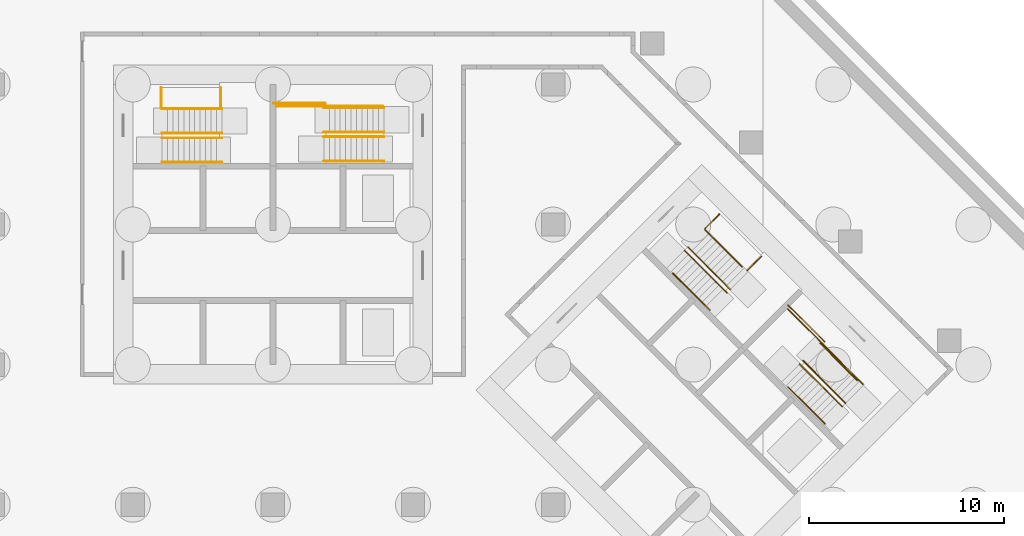
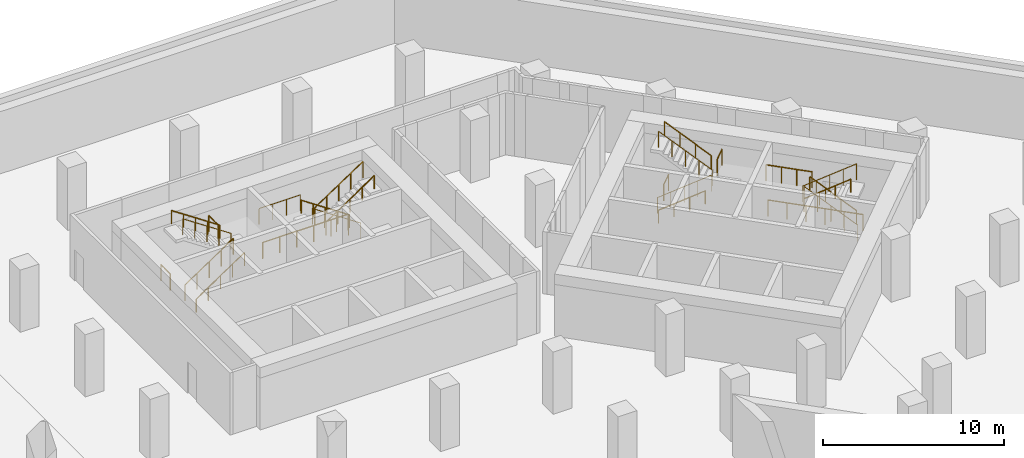
# One storey, part 11 of 12: 24 railings.
"""IFC4 building model written with IfcOpenShell, lengths in metres."""

from ifc_helpers import new_model, si_unit, direction, frame, origin, origin_2d, place, context, subcontext, project, spatial, circle, extrude, material, type_object, element, save


model = new_model("IFC4")

# Units and contexts
model_context = context("Model", 3, precision=1e-05, world=origin(), true_north=direction((0.0, 1.0)))
body_context = subcontext(model_context, "Body", "Model", "MODEL_VIEW")
ifc_project = project(units=[si_unit("LENGTHUNIT", "METRE"), si_unit("AREAUNIT", "SQUARE_METRE"), si_unit("VOLUMEUNIT", "CUBIC_METRE"), si_unit("PLANEANGLEUNIT", "RADIAN"), si_unit("MASSUNIT", "GRAM", prefix="KILO")], contexts=[model_context])

# Site, building, storey
site_placement = place(None, origin())
site = spatial("IfcSite", under=ifc_project, at=site_placement, CompositionType="ELEMENT")
building_placement = place(site_placement, origin())
building = spatial("IfcBuilding", under=site, at=building_placement, Name="Windrow Commons", CompositionType="ELEMENT")
storey_placement = place(building_placement, frame((0.0, 0.0, -9.0)))
storey = spatial("IfcBuildingStorey", under=building, at=storey_placement, Name="B2", CompositionType="ELEMENT", Elevation=-9.0)

# Railings
ifc_material_1 = material(Name="Steel S355", Category="steel")
railing_type_1 = type_object("IfcRailingType", Name="Core stair guard 1100", PredefinedType="GUARDRAIL", material=ifc_material_1)
railing_1_placement = place(storey_placement, frame((59.1, 62.05, 0.1875)))
element("IfcRailing", 1, at=railing_1_placement, inside=storey, type_object=railing_type_1, Name="B2 ST-A1 stair guard 1", PredefinedType="GUARDRAIL", context=body_context, shape_type="SweptSolid", body=[
    extrude(circle(Radius=0.024, at=origin_2d()), frame((0.0, 0.0, 1.076), z_axis=(0.830907177, 0.0, 0.556411056), x_axis=(0.0, 1.0, 0.0)), (0.0, 0.0, 1.0), 3.7068),
    extrude(circle(Radius=0.021, at=origin_2d()), origin(), (0.0, 0.0, 1.0), 1.052),
    extrude(circle(Radius=0.021, at=origin_2d()), frame((0.77, 0.0, 0.5156)), (0.0, 0.0, 1.0), 1.052),
    extrude(circle(Radius=0.021, at=origin_2d()), frame((1.54, 0.0, 1.0312)), (0.0, 0.0, 1.0), 1.052),
    extrude(circle(Radius=0.021, at=origin_2d()), frame((2.31, 0.0, 1.5469)), (0.0, 0.0, 1.0), 1.052),
    extrude(circle(Radius=0.021, at=origin_2d()), frame((3.08, 0.0, 2.0625)), (0.0, 0.0, 1.0), 1.052),
])
railing_2_placement = place(storey_placement, frame((62.18, 62.3, 2.4375)))
element("IfcRailing", 2, at=railing_2_placement, inside=storey, type_object=railing_type_1, Name="B2 ST-A1 stair guard 2", PredefinedType="GUARDRAIL", context=body_context, shape_type="SweptSolid", body=[
    extrude(circle(Radius=0.024, at=origin_2d()), frame((0.0, 0.0, 1.076), z_axis=(-0.830907177, 0.0, 0.556411056), x_axis=(0.0, -1.0, 0.0)), (0.0, 0.0, 1.0), 3.7068),
    extrude(circle(Radius=0.021, at=origin_2d()), origin(), (0.0, 0.0, 1.0), 1.052),
    extrude(circle(Radius=0.021, at=origin_2d()), frame((-0.77, 0.0, 0.5156)), (0.0, 0.0, 1.0), 1.052),
    extrude(circle(Radius=0.021, at=origin_2d()), frame((-1.54, 0.0, 1.0312)), (0.0, 0.0, 1.0), 1.052),
    extrude(circle(Radius=0.021, at=origin_2d()), frame((-2.31, 0.0, 1.5469)), (0.0, 0.0, 1.0), 1.052),
    extrude(circle(Radius=0.021, at=origin_2d()), frame((-3.08, 0.0, 2.0625)), (0.0, 0.0, 1.0), 1.052),
])
for number, where, name in (
    (3, (59.05, 63.6, 0.0), "B2 ST-A1 stair guard 3"),
    (4, (62.11, 63.6, 2.25), "B2 ST-A1 stair guard 4"),
):
    element("IfcRailing", number, at=place(storey_placement, frame(where)), inside=storey, type_object=railing_type_1, Name=name, PredefinedType="GUARDRAIL", context=body_context, shape_type="SweptSolid", body=[
        extrude(circle(Radius=0.024, at=origin_2d()), frame((0.0, 0.0, 1.076), z_axis=(0.0, 1.0, 0.0), x_axis=(-1.0, 0.0, 0.0)), (0.0, 0.0, 1.0), 1.03),
        extrude(circle(Radius=0.021, at=origin_2d()), origin(), (0.0, 0.0, 1.0), 1.052),
        extrude(circle(Radius=0.021, at=origin_2d()), frame((0.0, 1.03, 0.0)), (0.0, 0.0, 1.0), 1.052),
    ])
railing_3_placement = place(storey_placement, frame((70.5, 62.355, 0.1875)))
element("IfcRailing", 5, at=railing_3_placement, inside=storey, type_object=railing_type_1, Name="B2 ST-A2 stair guard 1", PredefinedType="GUARDRAIL", context=body_context, shape_type="SweptSolid", body=[
    extrude(circle(Radius=0.024, at=origin_2d()), frame((0.0, 0.0, 1.076), z_axis=(-0.830907177, 0.0, 0.556411056), x_axis=(0.0, -1.0, 0.0)), (0.0, 0.0, 1.0), 3.7068),
    extrude(circle(Radius=0.021, at=origin_2d()), origin(), (0.0, 0.0, 1.0), 1.052),
    extrude(circle(Radius=0.021, at=origin_2d()), frame((-0.77, 0.0, 0.5156)), (0.0, 0.0, 1.0), 1.052),
    extrude(circle(Radius=0.021, at=origin_2d()), frame((-1.54, 0.0, 1.0312)), (0.0, 0.0, 1.0), 1.052),
    extrude(circle(Radius=0.021, at=origin_2d()), frame((-2.31, 0.0, 1.5469)), (0.0, 0.0, 1.0), 1.052),
    extrude(circle(Radius=0.021, at=origin_2d()), frame((-3.08, 0.0, 2.0625)), (0.0, 0.0, 1.0), 1.052),
])
railing_4_placement = place(storey_placement, frame((67.42, 62.105, 2.4375)))
element("IfcRailing", 6, at=railing_4_placement, inside=storey, type_object=railing_type_1, Name="B2 ST-A2 stair guard 2", PredefinedType="GUARDRAIL", context=body_context, shape_type="SweptSolid", body=[
    extrude(circle(Radius=0.024, at=origin_2d()), frame((0.0, 0.0, 1.076), z_axis=(0.830907177, 0.0, 0.556411056), x_axis=(0.0, 1.0, 0.0)), (0.0, 0.0, 1.0), 3.7068),
    extrude(circle(Radius=0.021, at=origin_2d()), origin(), (0.0, 0.0, 1.0), 1.052),
    extrude(circle(Radius=0.021, at=origin_2d()), frame((0.77, 0.0, 0.5156)), (0.0, 0.0, 1.0), 1.052),
    extrude(circle(Radius=0.021, at=origin_2d()), frame((1.54, 0.0, 1.0312)), (0.0, 0.0, 1.0), 1.052),
    extrude(circle(Radius=0.021, at=origin_2d()), frame((2.31, 0.0, 1.5469)), (0.0, 0.0, 1.0), 1.052),
    extrude(circle(Radius=0.021, at=origin_2d()), frame((3.08, 0.0, 2.0625)), (0.0, 0.0, 1.0), 1.052),
])
railing_5_placement = place(storey_placement, frame((70.45, 63.675, 0.0)))
element("IfcRailing", 7, at=railing_5_placement, inside=storey, type_object=railing_type_1, Name="B2 ST-A2 stair guard 3", PredefinedType="GUARDRAIL", context=body_context, shape_type="SweptSolid", body=[
    extrude(circle(Radius=0.024, at=origin_2d()), frame((0.0, 0.0, 1.076), z_axis=(-1.0, 0.0, 0.0), x_axis=(0.0, -1.0, 0.0)), (0.0, 0.0, 1.0), 5.45),
    extrude(circle(Radius=0.021, at=origin_2d()), origin(), (0.0, 0.0, 1.0), 1.052),
    extrude(circle(Radius=0.021, at=origin_2d()), frame((-1.09, 0.0, 0.0)), (0.0, 0.0, 1.0), 1.052),
    extrude(circle(Radius=0.021, at=origin_2d()), frame((-2.18, 0.0, 0.0)), (0.0, 0.0, 1.0), 1.052),
    extrude(circle(Radius=0.021, at=origin_2d()), frame((-3.27, 0.0, 0.0)), (0.0, 0.0, 1.0), 1.052),
    extrude(circle(Radius=0.021, at=origin_2d()), frame((-4.36, 0.0, 0.0)), (0.0, 0.0, 1.0), 1.052),
    extrude(circle(Radius=0.021, at=origin_2d()), frame((-5.45, 0.0, 0.0)), (0.0, 0.0, 1.0), 1.052),
])
railing_6_placement = place(storey_placement, frame((67.49, 63.825, 2.25)))
element("IfcRailing", 8, at=railing_6_placement, inside=storey, type_object=railing_type_1, Name="B2 ST-A2 stair guard 4", PredefinedType="GUARDRAIL", context=body_context, shape_type="SweptSolid", body=[
    extrude(circle(Radius=0.024, at=origin_2d()), frame((0.0, 0.0, 1.076), z_axis=(-1.0, 0.0, 0.0), x_axis=(0.0, -1.0, 0.0)), (0.0, 0.0, 1.0), 2.64),
    extrude(circle(Radius=0.021, at=origin_2d()), origin(), (0.0, 0.0, 1.0), 1.052),
    extrude(circle(Radius=0.021, at=origin_2d()), frame((-0.88, 0.0, 0.0)), (0.0, 0.0, 1.0), 1.052),
    extrude(circle(Radius=0.021, at=origin_2d()), frame((-1.76, 0.0, 0.0)), (0.0, 0.0, 1.0), 1.052),
    extrude(circle(Radius=0.021, at=origin_2d()), frame((-2.64, 0.0, 0.0)), (0.0, 0.0, 1.0), 1.052),
])
railing_7_placement = place(storey_placement, frame((85.9529, 56.2669, 0.1875)))
element("IfcRailing", 9, at=railing_7_placement, inside=storey, type_object=railing_type_1, Name="B2 ST-B1 stair guard 1", PredefinedType="GUARDRAIL", context=body_context, shape_type="SweptSolid", body=[
    extrude(circle(Radius=0.024, at=origin_2d()), frame((0.0, 0.0, 1.076), z_axis=(0.5875410276, -0.5875410276, 0.5564090957), x_axis=(0.7071067812, 0.7071067812, 0.0)), (0.0, 0.0, 1.0), 3.7068),
    extrude(circle(Radius=0.021, at=origin_2d()), origin(), (0.0, 0.0, 1.0), 1.052),
    extrude(circle(Radius=0.021, at=origin_2d()), frame((0.5445, -0.5445, 0.5156)), (0.0, 0.0, 1.0), 1.052),
    extrude(circle(Radius=0.021, at=origin_2d()), frame((1.0889, -1.089, 1.0312)), (0.0, 0.0, 1.0), 1.052),
    extrude(circle(Radius=0.021, at=origin_2d()), frame((1.6334, -1.6334, 1.5469)), (0.0, 0.0, 1.0), 1.052),
    extrude(circle(Radius=0.021, at=origin_2d()), frame((2.1779, -2.1779, 2.0625)), (0.0, 0.0, 1.0), 1.052),
])
railing_8_placement = place(storey_placement, frame((88.3075, 54.2658, 2.4375)))
element("IfcRailing", 10, at=railing_8_placement, inside=storey, type_object=railing_type_1, Name="B2 ST-B1 stair guard 2", PredefinedType="GUARDRAIL", context=body_context, shape_type="SweptSolid", body=[
    extrude(circle(Radius=0.024, at=origin_2d()), frame((0.0, 0.0, 1.076), z_axis=(-0.5875410276, 0.5875410276, 0.5564090957), x_axis=(-0.7071067812, -0.7071067812, 0.0)), (0.0, 0.0, 1.0), 3.7068),
    extrude(circle(Radius=0.021, at=origin_2d()), origin(), (0.0, 0.0, 1.0), 1.052),
    extrude(circle(Radius=0.021, at=origin_2d()), frame((-0.5445, 0.5445, 0.5156)), (0.0, 0.0, 1.0), 1.052),
    extrude(circle(Radius=0.021, at=origin_2d()), frame((-1.089, 1.089, 1.0312)), (0.0, 0.0, 1.0), 1.052),
    extrude(circle(Radius=0.021, at=origin_2d()), frame((-1.6334, 1.6334, 1.5469)), (0.0, 0.0, 1.0), 1.052),
    extrude(circle(Radius=0.021, at=origin_2d()), frame((-2.1779, 2.1779, 2.0625)), (0.0, 0.0, 1.0), 1.052),
])
railing_9_placement = place(storey_placement, frame((87.0135, 57.3982, 0.0)))
element("IfcRailing", 11, at=railing_9_placement, inside=storey, type_object=railing_type_1, Name="B2 ST-B1 stair guard 3", PredefinedType="GUARDRAIL", context=body_context, shape_type="SweptSolid", body=[
    extrude(circle(Radius=0.024, at=origin_2d()), frame((0.0, 0.0, 1.076), z_axis=(0.7070582378, 0.7071553212, 0.0), x_axis=(-0.7071553212, 0.7070582378, 0.0)), (0.0, 0.0, 1.0), 1.03),
    extrude(circle(Radius=0.021, at=origin_2d()), origin(), (0.0, 0.0, 1.0), 1.052),
    extrude(circle(Radius=0.021, at=origin_2d()), frame((0.7283, 0.7284, 0.0)), (0.0, 0.0, 1.0), 1.052),
])
railing_10_placement = place(storey_placement, frame((89.1773, 55.2345, 2.25)))
element("IfcRailing", 12, at=railing_10_placement, inside=storey, type_object=railing_type_1, Name="B2 ST-B1 stair guard 4", PredefinedType="GUARDRAIL", context=body_context, shape_type="SweptSolid", body=[
    extrude(circle(Radius=0.024, at=origin_2d()), frame((0.0, 0.0, 1.076), z_axis=(0.7071067812, 0.7071067812, 0.0), x_axis=(-0.7071067812, 0.7071067812, 0.0)), (0.0, 0.0, 1.0), 1.03),
    extrude(circle(Radius=0.021, at=origin_2d()), origin(), (0.0, 0.0, 1.0), 1.052),
    extrude(circle(Radius=0.021, at=origin_2d()), frame((0.7283, 0.7283, 0.0)), (0.0, 0.0, 1.0), 1.052),
])
railing_11_placement = place(storey_placement, frame((94.2296, 48.4215, 0.1875)))
element("IfcRailing", 13, at=railing_11_placement, inside=storey, type_object=railing_type_1, Name="B2 ST-B2 stair guard 1", PredefinedType="GUARDRAIL", context=body_context, shape_type="SweptSolid", body=[
    extrude(circle(Radius=0.024, at=origin_2d()), frame((0.0, 0.0, 1.076), z_axis=(-0.5875410276, 0.5875410276, 0.5564090957), x_axis=(-0.7071067812, -0.7071067812, 0.0)), (0.0, 0.0, 1.0), 3.7068),
    extrude(circle(Radius=0.021, at=origin_2d()), origin(), (0.0, 0.0, 1.0), 1.052),
    extrude(circle(Radius=0.021, at=origin_2d()), frame((-0.5445, 0.5445, 0.5156)), (0.0, 0.0, 1.0), 1.052),
    extrude(circle(Radius=0.021, at=origin_2d()), frame((-1.089, 1.089, 1.0312)), (0.0, 0.0, 1.0), 1.052),
    extrude(circle(Radius=0.021, at=origin_2d()), frame((-1.6334, 1.6334, 1.5469)), (0.0, 0.0, 1.0), 1.052),
    extrude(circle(Radius=0.021, at=origin_2d()), frame((-2.1779, 2.1779, 2.0625)), (0.0, 0.0, 1.0), 1.052),
])
railing_12_placement = place(storey_placement, frame((91.8749, 50.4226, 2.4375)))
element("IfcRailing", 14, at=railing_12_placement, inside=storey, type_object=railing_type_1, Name="B2 ST-B2 stair guard 2", PredefinedType="GUARDRAIL", context=body_context, shape_type="SweptSolid", body=[
    extrude(circle(Radius=0.024, at=origin_2d()), frame((0.0, 0.0, 1.076), z_axis=(0.5875410276, -0.5875410276, 0.5564090957), x_axis=(0.7071067812, 0.7071067812, 0.0)), (0.0, 0.0, 1.0), 3.7068),
    extrude(circle(Radius=0.021, at=origin_2d()), origin(), (0.0, 0.0, 1.0), 1.052),
    extrude(circle(Radius=0.021, at=origin_2d()), frame((0.5445, -0.5445, 0.5156)), (0.0, 0.0, 1.0), 1.052),
    extrude(circle(Radius=0.021, at=origin_2d()), frame((1.089, -1.089, 1.0312)), (0.0, 0.0, 1.0), 1.052),
    extrude(circle(Radius=0.021, at=origin_2d()), frame((1.6334, -1.6334, 1.5469)), (0.0, 0.0, 1.0), 1.052),
    extrude(circle(Radius=0.021, at=origin_2d()), frame((2.1779, -2.1779, 2.0625)), (0.0, 0.0, 1.0), 1.052),
])
railing_13_placement = place(storey_placement, frame((95.1276, 49.3903, 0.0)))
element("IfcRailing", 15, at=railing_13_placement, inside=storey, type_object=railing_type_1, Name="B2 ST-B2 stair guard 3", PredefinedType="GUARDRAIL", context=body_context, shape_type="SweptSolid", body=[
    extrude(circle(Radius=0.024, at=origin_2d()), frame((0.0, 0.0, 1.076), z_axis=(-0.7071159554, 0.7070976069, 0.0), x_axis=(-0.7070976069, -0.7071159554, 0.0)), (0.0, 0.0, 1.0), 5.45),
    extrude(circle(Radius=0.021, at=origin_2d()), origin(), (0.0, 0.0, 1.0), 1.052),
    extrude(circle(Radius=0.021, at=origin_2d()), frame((-0.7708, 0.7707, 0.0)), (0.0, 0.0, 1.0), 1.052),
    extrude(circle(Radius=0.021, at=origin_2d()), frame((-1.5415, 1.5415, 0.0)), (0.0, 0.0, 1.0), 1.052),
    extrude(circle(Radius=0.021, at=origin_2d()), frame((-2.3123, 2.3122, 0.0)), (0.0, 0.0, 1.0), 1.052),
    extrude(circle(Radius=0.021, at=origin_2d()), frame((-3.083, 3.083, 0.0)), (0.0, 0.0, 1.0), 1.052),
    extrude(circle(Radius=0.021, at=origin_2d()), frame((-3.8538, 3.8537, 0.0)), (0.0, 0.0, 1.0), 1.052),
])
railing_14_placement = place(storey_placement, frame((93.1406, 51.5894, 2.25)))
element("IfcRailing", 16, at=railing_14_placement, inside=storey, type_object=railing_type_1, Name="B2 ST-B2 stair guard 4", PredefinedType="GUARDRAIL", context=body_context, shape_type="SweptSolid", body=[
    extrude(circle(Radius=0.024, at=origin_2d()), frame((0.0, 0.0, 1.076), z_axis=(-0.7071257204, 0.7070878414, 0.0), x_axis=(-0.7070878414, -0.7071257204, 0.0)), (0.0, 0.0, 1.0), 2.64),
    extrude(circle(Radius=0.021, at=origin_2d()), origin(), (0.0, 0.0, 1.0), 1.052),
    extrude(circle(Radius=0.021, at=origin_2d()), frame((-0.6223, 0.6222, 0.0)), (0.0, 0.0, 1.0), 1.052),
    extrude(circle(Radius=0.021, at=origin_2d()), frame((-1.2445, 1.2445, 0.0)), (0.0, 0.0, 1.0), 1.052),
    extrude(circle(Radius=0.021, at=origin_2d()), frame((-1.8668, 1.8667, 0.0)), (0.0, 0.0, 1.0), 1.052),
])
ifc_material_2 = material(Name="Steel S355", Category="steel")
railing_type_2 = type_object("IfcRailingType", Name="Core stair handrail 900", PredefinedType="HANDRAIL", material=ifc_material_2)
railing_15_placement = place(storey_placement, frame((59.1, 60.8, 0.1875)))
element("IfcRailing", 17, at=railing_15_placement, inside=storey, type_object=railing_type_2, Name="B2 ST-A1 stair handrail 1", PredefinedType="HANDRAIL", context=body_context, shape_type="SweptSolid", body=[
    extrude(circle(Radius=0.024, at=origin_2d()), frame((0.0, 0.0, 0.876), z_axis=(0.830907177, 0.0, 0.556411056), x_axis=(0.0, 1.0, 0.0)), (0.0, 0.0, 1.0), 3.7068),
    extrude(circle(Radius=0.021, at=origin_2d()), origin(), (0.0, 0.0, 1.0), 0.852),
    extrude(circle(Radius=0.021, at=origin_2d()), frame((0.77, 0.0, 0.5156)), (0.0, 0.0, 1.0), 0.852),
    extrude(circle(Radius=0.021, at=origin_2d()), frame((1.54, 0.0, 1.0312)), (0.0, 0.0, 1.0), 0.852),
    extrude(circle(Radius=0.021, at=origin_2d()), frame((2.31, 0.0, 1.5469)), (0.0, 0.0, 1.0), 0.852),
    extrude(circle(Radius=0.021, at=origin_2d()), frame((3.08, 0.0, 2.0625)), (0.0, 0.0, 1.0), 0.852),
])
for number, where, name in (
    (18, (62.18, 63.55, 2.4375), "B2 ST-A1 stair handrail 2"),
    (19, (70.5, 63.605, 0.1875), "B2 ST-A2 stair handrail 1"),
):
    element("IfcRailing", number, at=place(storey_placement, frame(where)), inside=storey, type_object=railing_type_2, Name=name, PredefinedType="HANDRAIL", context=body_context, shape_type="SweptSolid", body=[
        extrude(circle(Radius=0.024, at=origin_2d()), frame((0.0, 0.0, 0.876), z_axis=(-0.830907177, 0.0, 0.556411056), x_axis=(0.0, -1.0, 0.0)), (0.0, 0.0, 1.0), 3.7068),
        extrude(circle(Radius=0.021, at=origin_2d()), origin(), (0.0, 0.0, 1.0), 0.852),
        extrude(circle(Radius=0.021, at=origin_2d()), frame((-0.77, 0.0, 0.5156)), (0.0, 0.0, 1.0), 0.852),
        extrude(circle(Radius=0.021, at=origin_2d()), frame((-1.54, 0.0, 1.0312)), (0.0, 0.0, 1.0), 0.852),
        extrude(circle(Radius=0.021, at=origin_2d()), frame((-2.31, 0.0, 1.5469)), (0.0, 0.0, 1.0), 0.852),
        extrude(circle(Radius=0.021, at=origin_2d()), frame((-3.08, 0.0, 2.0625)), (0.0, 0.0, 1.0), 0.852),
    ])
railing_16_placement = place(storey_placement, frame((67.42, 60.855, 2.4375)))
element("IfcRailing", 20, at=railing_16_placement, inside=storey, type_object=railing_type_2, Name="B2 ST-A2 stair handrail 2", PredefinedType="HANDRAIL", context=body_context, shape_type="SweptSolid", body=[
    extrude(circle(Radius=0.024, at=origin_2d()), frame((0.0, 0.0, 0.876), z_axis=(0.830907177, 0.0, 0.556411056), x_axis=(0.0, 1.0, 0.0)), (0.0, 0.0, 1.0), 3.7068),
    extrude(circle(Radius=0.021, at=origin_2d()), origin(), (0.0, 0.0, 1.0), 0.852),
    extrude(circle(Radius=0.021, at=origin_2d()), frame((0.77, 0.0, 0.5156)), (0.0, 0.0, 1.0), 0.852),
    extrude(circle(Radius=0.021, at=origin_2d()), frame((1.54, 0.0, 1.0312)), (0.0, 0.0, 1.0), 0.852),
    extrude(circle(Radius=0.021, at=origin_2d()), frame((2.31, 0.0, 1.5469)), (0.0, 0.0, 1.0), 0.852),
    extrude(circle(Radius=0.021, at=origin_2d()), frame((3.08, 0.0, 2.0625)), (0.0, 0.0, 1.0), 0.852),
])
railing_17_placement = place(storey_placement, frame((85.3518, 55.1001, 0.4554)))
element("IfcRailing", 21, at=railing_17_placement, inside=storey, type_object=railing_type_2, Name="B2 ST-B1 stair handrail 1", PredefinedType="HANDRAIL", context=body_context, shape_type="SweptSolid", body=[
    extrude(circle(Radius=0.024, at=origin_2d()), frame((0.0, 0.0, 0.876), z_axis=(0.5875603124, -0.5875293083, 0.5564011064), x_axis=(0.7070881243, 0.7071254376, 0.0)), (0.0, 0.0, 1.0), 3.2254),
    extrude(circle(Radius=0.021, at=origin_2d()), origin(), (0.0, 0.0, 1.0), 0.852),
    extrude(circle(Radius=0.021, at=origin_2d()), frame((0.6317, -0.6317, 0.5982)), (0.0, 0.0, 1.0), 0.852),
    extrude(circle(Radius=0.021, at=origin_2d()), frame((1.2634, -1.2633, 1.1964)), (0.0, 0.0, 1.0), 0.852),
    extrude(circle(Radius=0.021, at=origin_2d()), frame((1.8951, -1.895, 1.7946)), (0.0, 0.0, 1.0), 0.852),
])
for number, where, name in (
    (22, (88.9086, 55.4325, 2.7054), "B2 ST-B1 stair handrail 2"),
    (23, (94.8306, 49.5883, 0.4554), "B2 ST-B2 stair handrail 1"),
):
    element("IfcRailing", number, at=place(storey_placement, frame(where)), inside=storey, type_object=railing_type_2, Name=name, PredefinedType="HANDRAIL", context=body_context, shape_type="SweptSolid", body=[
        extrude(circle(Radius=0.024, at=origin_2d()), frame((0.0, 0.0, 0.876), z_axis=(-0.5875603124, 0.5875293083, 0.5564011064), x_axis=(-0.7070881243, -0.7071254376, 0.0)), (0.0, 0.0, 1.0), 3.2254),
        extrude(circle(Radius=0.021, at=origin_2d()), origin(), (0.0, 0.0, 1.0), 0.852),
        extrude(circle(Radius=0.021, at=origin_2d()), frame((-0.6317, 0.6317, 0.5982)), (0.0, 0.0, 1.0), 0.852),
        extrude(circle(Radius=0.021, at=origin_2d()), frame((-1.2634, 1.2633, 1.1964)), (0.0, 0.0, 1.0), 0.852),
        extrude(circle(Radius=0.021, at=origin_2d()), frame((-1.8951, 1.895, 1.7946)), (0.0, 0.0, 1.0), 0.852),
    ])
railing_18_placement = place(storey_placement, frame((91.2738, 49.2559, 2.7054)))
element("IfcRailing", 24, at=railing_18_placement, inside=storey, type_object=railing_type_2, Name="B2 ST-B2 stair handrail 2", PredefinedType="HANDRAIL", context=body_context, shape_type="SweptSolid", body=[
    extrude(circle(Radius=0.024, at=origin_2d()), frame((0.0, 0.0, 0.876), z_axis=(0.5875603124, -0.5875293083, 0.5564011064), x_axis=(0.7070881243, 0.7071254376, 0.0)), (0.0, 0.0, 1.0), 3.2254),
    extrude(circle(Radius=0.021, at=origin_2d()), origin(), (0.0, 0.0, 1.0), 0.852),
    extrude(circle(Radius=0.021, at=origin_2d()), frame((0.6317, -0.6317, 0.5982)), (0.0, 0.0, 1.0), 0.852),
    extrude(circle(Radius=0.021, at=origin_2d()), frame((1.2634, -1.2633, 1.1964)), (0.0, 0.0, 1.0), 0.852),
    extrude(circle(Radius=0.021, at=origin_2d()), frame((1.8951, -1.895, 1.7946)), (0.0, 0.0, 1.0), 0.852),
])

save(model, "model.ifc")
